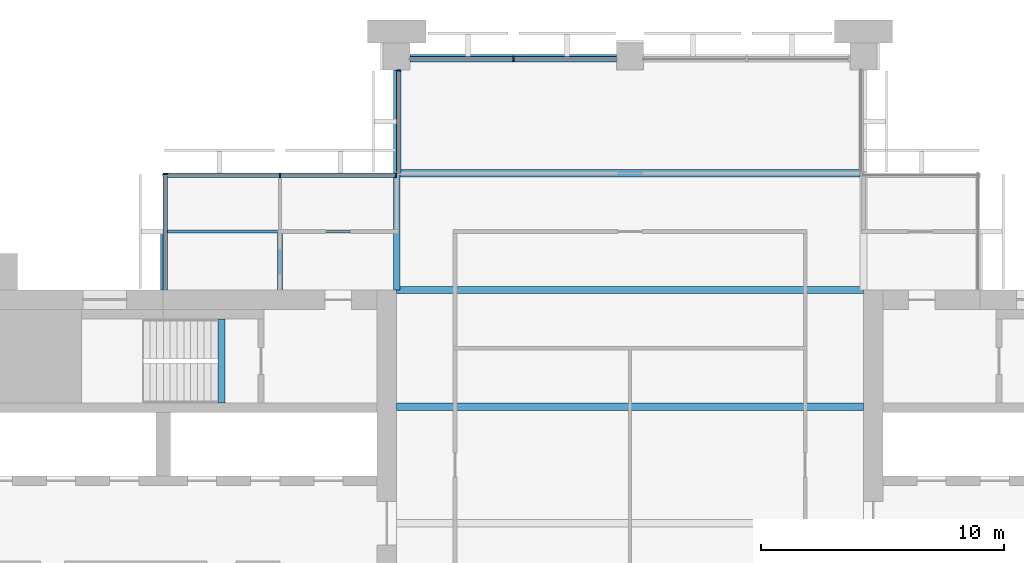
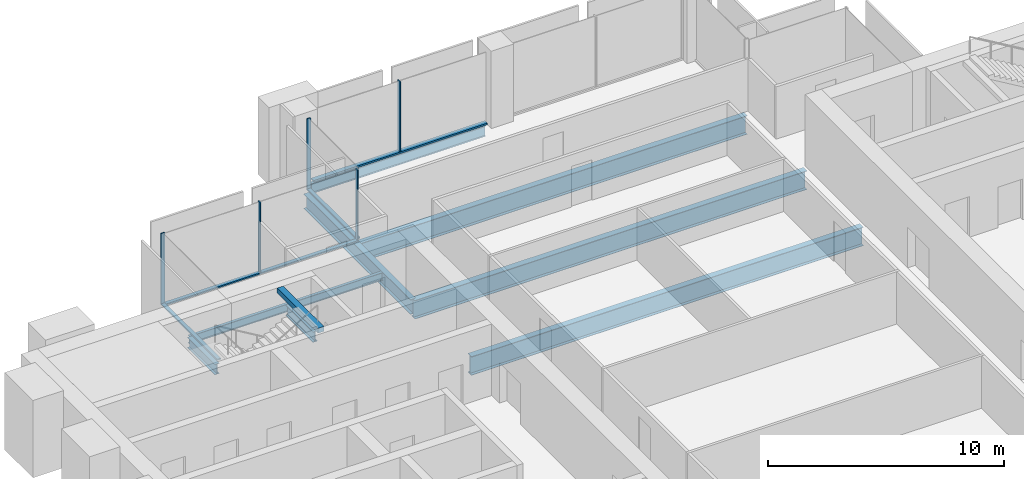
# One storey, part 5 of 13: 9 beams, 9 members, 4 elements without a shape of their own.
"""IFC4 building model written with IfcOpenShell, lengths in metres."""

from ifc_helpers import new_model, si_unit, direction, frame, origin, origin_2d, place, context, subcontext, project, spatial, rectangle, i_section, extrude, material, material_profile, profile_set, type_object, element, aggregate, save


model = new_model("IFC4")

# Units and contexts
model_context = context("Model", 3, precision=1e-05, world=origin(), true_north=direction((0.0, 1.0)))
body_context = subcontext(model_context, "Body", "Model", "MODEL_VIEW")
ifc_project = project(units=[si_unit("LENGTHUNIT", "METRE"), si_unit("AREAUNIT", "SQUARE_METRE"), si_unit("VOLUMEUNIT", "CUBIC_METRE"), si_unit("PLANEANGLEUNIT", "RADIAN"), si_unit("MASSUNIT", "GRAM", prefix="KILO")], contexts=[model_context])

# Site, building, storey
site_placement = place(None, origin())
site = spatial("IfcSite", under=ifc_project, at=site_placement, CompositionType="ELEMENT")
building_placement = place(site_placement, origin())
building = spatial("IfcBuilding", under=site, at=building_placement, Name="Baori Bourse Tower", CompositionType="ELEMENT")
storey_placement = place(building_placement, frame((0.0, 0.0, 261.199951171875)))
storey = spatial("IfcBuildingStorey", under=building, at=storey_placement, Name="L58", CompositionType="ELEMENT", Elevation=261.199951171875)

# Curtain wall, member
ifc_material_1 = material(Name="Pale anodised aluminium", Category="aluminium")
curtain_wall_type_1 = type_object("IfcCurtainWallType", Name="CW2 Curtain wall", PredefinedType="NOTDEFINED", material=ifc_material_1)
curtain_wall_1_placement = place(storey_placement, origin())
curtain_wall_1 = element("IfcCurtainWall", 1, at=curtain_wall_1_placement, inside=storey, type_object=curtain_wall_type_1, Name="Curtain wall CW2 L58 5", PredefinedType="NOTDEFINED")
ifc_material_2 = material(Name="Pale anodised aluminium", Category="aluminium")
ifc_material_profile_1 = material_profile(ifc_material_2, rectangle(XDim=0.179931640625, YDim=0.054931640625, at=origin_2d()), Name="Mullion 55x180")
ifc_profile_set_1 = profile_set([ifc_material_profile_1], Name="Pale anodised aluminium")
member_type_1 = type_object("IfcMemberType", Name="CW2 Curtain wall mullion", PredefinedType="MULLION", material=ifc_profile_set_1)
member_1_placement = place(storey_placement, frame((19.2900390625, 47.422607421875, 0.070068359375), z_axis=(0.0, 0.0, 1.0), x_axis=(1.0, 0.0, 0.0)))
member_1 = element("IfcMember", 2, at=member_1_placement, type_object=member_type_1, Name="Curtain wall CW2 mullion", PredefinedType="MULLION", context=body_context, shape_type="SweptSolid", body=[
    extrude(rectangle(XDim=0.179931640625, YDim=0.054931640625, at=origin_2d()), origin(), (0.0, 0.0, 1.0), 3.6298828125),
])

# Curtain wall, members
curtain_wall_2_placement = place(storey_placement, origin())
curtain_wall_2 = element("IfcCurtainWall", 3, at=curtain_wall_2_placement, inside=storey, type_object=curtain_wall_type_1, Name="Curtain wall CW2 L58 6", PredefinedType="NOTDEFINED")
member_2_placement = place(storey_placement, frame((19.172607421875, 43.110107421875, 0.070068359375), z_axis=(0.0, 0.0, 1.0), x_axis=(0.0, -1.0, 0.0)))
member_2 = element("IfcMember", 4, at=member_2_placement, type_object=member_type_1, Name="Curtain wall CW2 mullion", PredefinedType="MULLION", context=body_context, shape_type="SweptSolid", body=[
    extrude(rectangle(XDim=0.179931640625, YDim=0.054931640625, at=origin_2d()), origin(), (0.0, 0.0, 1.0), 3.6298828125),
])
member_3_placement = place(storey_placement, frame((14.39990234375, 43.110107421875, 0.070068359375), z_axis=(0.0, 0.0, 1.0), x_axis=(0.0, -1.0, 0.0)))
member_3 = element("IfcMember", 5, at=member_3_placement, type_object=member_type_1, Name="Curtain wall CW2 mullion", PredefinedType="MULLION", context=body_context, shape_type="SweptSolid", body=[
    extrude(rectangle(XDim=0.179931640625, YDim=0.054931640625, at=origin_2d()), origin(), (0.0, 0.0, 1.0), 3.6298828125),
])

# Curtain wall, member
curtain_wall_3_placement = place(storey_placement, origin())
curtain_wall_3 = element("IfcCurtainWall", 6, at=curtain_wall_3_placement, inside=storey, type_object=curtain_wall_type_1, Name="Curtain wall CW2 L58 7", PredefinedType="NOTDEFINED")
member_4_placement = place(storey_placement, frame((9.68994140625, 43.172607421875, 0.070068359375), z_axis=(0.0, 0.0, 1.0), x_axis=(1.0, 0.0, 0.0)))
member_4 = element("IfcMember", 7, at=member_4_placement, type_object=member_type_1, Name="Curtain wall CW2 mullion", PredefinedType="MULLION", context=body_context, shape_type="SweptSolid", body=[
    extrude(rectangle(XDim=0.179931640625, YDim=0.054931640625, at=origin_2d()), origin(), (0.0, 0.0, 1.0), 3.6298828125),
])

# Member
ifc_material_3 = material(Name="Pale anodised aluminium", Category="aluminium")
ifc_material_profile_2 = material_profile(ifc_material_3, rectangle(XDim=0.179931640625, YDim=0.070068359375, at=origin_2d()), Name="Transom 70x180")
ifc_profile_set_2 = profile_set([ifc_material_profile_2], Name="Pale anodised aluminium")
member_type_2 = type_object("IfcMemberType", Name="CW2 Curtain wall transom", PredefinedType="USERDEFINED", material=ifc_profile_set_2)
member_5_placement = place(storey_placement, frame((19.2900390625, 47.449951171875, 0.03515625), z_axis=(0.0, -1.0, 0.0), x_axis=(1.0, 0.0, 0.0)))
member_5 = element("IfcMember", 8, at=member_5_placement, type_object=member_type_2, Name="Curtain wall CW2 sill rail", ObjectType="TRANSOM", PredefinedType="USERDEFINED", context=body_context, shape_type="SweptSolid", body=[
    extrude(rectangle(XDim=0.179931640625, YDim=0.070068359375, at=origin_2d()), origin(), (0.0, 0.0, 1.0), 4.25),
])

aggregate(curtain_wall_1, [member_5, member_1])

member_6_placement = place(storey_placement, frame((19.199951171875, 43.110107421875, 0.03515625), z_axis=(-1.0, 0.0, 0.0), x_axis=(0.0, -1.0, 0.0)))
member_6 = element("IfcMember", 9, at=member_6_placement, type_object=member_type_2, Name="Curtain wall CW2 sill rail", ObjectType="TRANSOM", PredefinedType="USERDEFINED", context=body_context, shape_type="SweptSolid", body=[
    extrude(rectangle(XDim=0.179931640625, YDim=0.070068359375, at=origin_2d()), origin(), (0.0, 0.0, 1.0), 9.599853515625),
])

aggregate(curtain_wall_2, [member_6, member_2, member_3])

member_7_placement = place(storey_placement, frame((9.68994140625, 43.199951171875, 0.03515625), z_axis=(0.0, -1.0, 0.0), x_axis=(1.0, 0.0, 0.0)))
member_7 = element("IfcMember", 10, at=member_7_placement, type_object=member_type_2, Name="Curtain wall CW2 sill rail", ObjectType="TRANSOM", PredefinedType="USERDEFINED", context=body_context, shape_type="SweptSolid", body=[
    extrude(rectangle(XDim=0.179931640625, YDim=0.070068359375, at=origin_2d()), origin(), (0.0, 0.0, 1.0), 4.800048828125),
])

aggregate(curtain_wall_3, [member_7, member_4])

# Curtain wall, members
ifc_material_4 = material(Name="Pale anodised aluminium", Category="aluminium")
curtain_wall_type_2 = type_object("IfcCurtainWallType", Name="CW5 Curtain wall", PredefinedType="NOTDEFINED", material=ifc_material_4)
curtain_wall_4_placement = place(storey_placement, origin())
curtain_wall_4 = element("IfcCurtainWall", 11, at=curtain_wall_4_placement, inside=storey, type_object=curtain_wall_type_2, Name="Curtain wall CW5 L58 4", PredefinedType="NOTDEFINED")
ifc_material_5 = material(Name="Pale anodised aluminium", Category="aluminium")
ifc_material_profile_3 = material_profile(ifc_material_5, rectangle(XDim=0.219970703125, YDim=0.06494140625, at=origin_2d()), Name="Mullion 65x220")
ifc_profile_set_3 = profile_set([ifc_material_profile_3], Name="Pale anodised aluminium")
member_type_3 = type_object("IfcMemberType", Name="CW5 Curtain wall mullion", PredefinedType="MULLION", material=ifc_profile_set_3)
member_8_placement = place(storey_placement, frame((24.0, 47.889892578125, 0.0849609375), z_axis=(0.0, 0.0, 1.0), x_axis=(0.0, -1.0, 0.0)))
member_8 = element("IfcMember", 12, at=member_8_placement, type_object=member_type_3, Name="Curtain wall CW5 mullion", PredefinedType="MULLION", context=body_context, shape_type="SweptSolid", body=[
    extrude(rectangle(XDim=0.219970703125, YDim=0.06494140625, at=origin_2d()), origin(), (0.0, 0.0, 1.0), 3.614990234375),
])
ifc_material_6 = material(Name="Pale anodised aluminium", Category="aluminium")
ifc_material_profile_4 = material_profile(ifc_material_6, rectangle(XDim=0.219970703125, YDim=0.0849609375, at=origin_2d()), Name="Transom 85x220")
ifc_profile_set_4 = profile_set([ifc_material_profile_4], Name="Pale anodised aluminium")
member_type_4 = type_object("IfcMemberType", Name="CW5 Curtain wall transom", PredefinedType="USERDEFINED", material=ifc_profile_set_4)
member_9_placement = place(storey_placement, frame((28.25, 47.889892578125, 0.04248046875), z_axis=(-1.0, 0.0, 0.0), x_axis=(0.0, -1.0, 0.0)))
member_9 = element("IfcMember", 13, at=member_9_placement, type_object=member_type_4, Name="Curtain wall CW5 sill rail", ObjectType="TRANSOM", PredefinedType="USERDEFINED", context=body_context, shape_type="SweptSolid", body=[
    extrude(rectangle(XDim=0.219970703125, YDim=0.0849609375, at=origin_2d()), origin(), (0.0, 0.0, 1.0), 8.5),
])
aggregate(curtain_wall_4, [member_9, member_8])

# Beams
ifc_material_7 = material(Name="Steel A992 Gr 50", Category="steel")
ifc_material_profile_5 = material_profile(ifc_material_7, i_section(OverallWidth=0.21240234375, OverallDepth=0.54345703125, WebThickness=0.01318359375, FlangeThickness=0.021240234375, at=origin_2d()), Name="W21x83")
ifc_profile_set_5 = profile_set([ifc_material_profile_5], Name="Steel A992 Gr 50")
beam_type_1 = type_object("IfcBeamType", Name="Core bracket W21x83", PredefinedType="BEAM", material=ifc_profile_set_5)
for number, where, z_axis, x_axis, name in (
    (14, (9.60009765625, 38.39990234375, -0.431640625), (0.0, 1.0, 0.0), (-1.0, 0.0, 0.0), "Core bracket L58"),
    (15, (14.39990234375, 38.39990234375, -0.431640625), (0.0, 1.0, 0.0), (-1.0, 0.0, 0.0), "Core bracket L58"),
):
    element("IfcBeam", number, at=place(storey_placement, frame(where, z_axis=z_axis, x_axis=x_axis)), inside=storey, type_object=beam_type_1, Name=name, PredefinedType="BEAM", context=body_context, shape_type="SweptSolid", body=[
        extrude(i_section(OverallWidth=0.21240234375, OverallDepth=0.54345703125, WebThickness=0.01318359375, FlangeThickness=0.021240234375, at=origin_2d()), origin(), (0.0, 0.0, 1.0), 2.329833984375),
    ])
ifc_material_8 = material(Name="Steel A992 Gr 50", Category="steel")
ifc_material_profile_6 = material_profile(ifc_material_8, i_section(OverallWidth=0.1650390625, OverallDepth=0.52587890625, WebThickness=0.0087890625, FlangeThickness=0.011474609375, at=origin_2d()), Name="W21x44")
ifc_profile_set_6 = profile_set([ifc_material_profile_6], Name="Steel A992 Gr 50")
beam_type_2 = type_object("IfcBeamType", Name="Edge beam W21x44", PredefinedType="BEAM", material=ifc_profile_set_6)
beam_1_placement = place(storey_placement, frame((19.75, 48.0, -0.4228515625), z_axis=(1.0, 0.0, 0.0), x_axis=(0.0, 1.0, 0.0)))
element("IfcBeam", 16, at=beam_1_placement, inside=storey, type_object=beam_type_2, Name="Edge beam L58", PredefinedType="BEAM", context=body_context, shape_type="SweptSolid", body=[
    extrude(i_section(OverallWidth=0.1650390625, OverallDepth=0.52587890625, WebThickness=0.0087890625, FlangeThickness=0.011474609375, at=origin_2d()), origin(), (0.0, 0.0, 1.0), 8.5),
])
ifc_material_9 = material(Name="Steel A992 Gr 50", Category="steel")
ifc_material_profile_7 = material_profile(ifc_material_9, i_section(OverallWidth=0.2998046875, OverallDepth=0.97021484375, WebThickness=0.01611328125, FlangeThickness=0.02099609375, at=origin_2d()), Name="W40x149")
ifc_profile_set_7 = profile_set([ifc_material_profile_7], Name="Steel A992 Gr 50")
beam_type_3 = type_object("IfcBeamType", Name="Floor beam W40x149", PredefinedType="BEAM", material=ifc_profile_set_7)
for number, where, z_axis, x_axis, name in (
    (17, (19.199951171875, 33.60009765625, -0.64501953125), (1.0, 0.0, 0.0), (0.0, 1.0, 0.0), "Floor beam L58"),
    (18, (19.199951171875, 38.39990234375, -0.64501953125), (1.0, 0.0, 0.0), (0.0, 1.0, 0.0), "Floor beam L58"),
):
    element("IfcBeam", number, at=place(storey_placement, frame(where, z_axis=z_axis, x_axis=x_axis)), inside=storey, type_object=beam_type_3, Name=name, PredefinedType="BEAM", context=body_context, shape_type="SweptSolid", body=[
        extrude(i_section(OverallWidth=0.2998046875, OverallDepth=0.97021484375, WebThickness=0.01611328125, FlangeThickness=0.02099609375, at=origin_2d()), origin(), (0.0, 0.0, 1.0), 19.199951171875),
    ])
beam_2_placement = place(storey_placement, frame((19.333251953125, 43.199951171875, -0.64501953125), z_axis=(1.0, 0.0, 0.0), x_axis=(0.0, 1.0, 0.0)))
element("IfcBeam", 19, at=beam_2_placement, inside=storey, type_object=beam_type_3, Name="Floor beam L58", PredefinedType="BEAM", context=body_context, shape_type="SweptSolid", body=[
    extrude(i_section(OverallWidth=0.2998046875, OverallDepth=0.97021484375, WebThickness=0.01611328125, FlangeThickness=0.02099609375, at=origin_2d()), origin(), (0.0, 0.0, 1.0), 18.920654296875),
])
ifc_material_10 = material(Name="Steel A992 Gr 50", Category="steel")
ifc_material_profile_8 = material_profile(ifc_material_10, i_section(OverallWidth=0.2666015625, OverallDepth=0.76953125, WebThickness=0.015625, FlangeThickness=0.025390625, at=origin_2d()), Name="W30x132")
ifc_profile_set_8 = profile_set([ifc_material_profile_8], Name="Steel A992 Gr 50")
beam_type_4 = type_object("IfcBeamType", Name="Girder W30x132", PredefinedType="BEAM", material=ifc_profile_set_8)
beam_3_placement = place(storey_placement, frame((19.199951171875, 38.39990234375, -0.544677734375), z_axis=(0.0, 1.0, 0.0), x_axis=(-1.0, 0.0, 0.0)))
element("IfcBeam", 20, at=beam_3_placement, inside=storey, type_object=beam_type_4, Name="Girder L58", PredefinedType="BEAM", context=body_context, shape_type="SweptSolid", body=[
    extrude(i_section(OverallWidth=0.2666015625, OverallDepth=0.76953125, WebThickness=0.015625, FlangeThickness=0.025390625, at=origin_2d()), origin(), (0.0, 0.0, 1.0), 9.050048828125),
])
ifc_material_11 = material(Name="Concrete f'c 50 MPa", Category="concrete")
ifc_material_profile_9 = material_profile(ifc_material_11, rectangle(XDim=0.300048828125, YDim=0.25, at=origin_2d()), Name="RC 300x250")
ifc_profile_set_9 = profile_set([ifc_material_profile_9], Name="Concrete f'c 50 MPa")
beam_type_5 = type_object("IfcBeamType", Name="Stair nib beam RC 300x250", PredefinedType="BEAM", material=ifc_profile_set_9)
beam_4_placement = place(storey_placement, frame((12.0, 33.75, 3.574951171875), z_axis=(0.0, 1.0, 0.0), x_axis=(-1.0, 0.0, 0.0)))
element("IfcBeam", 21, at=beam_4_placement, inside=storey, type_object=beam_type_5, Name="Stair WB nib beam L59", PredefinedType="BEAM", context=body_context, shape_type="SweptSolid", body=[
    extrude(rectangle(XDim=0.300048828125, YDim=0.25, at=origin_2d()), origin(), (0.0, 0.0, 1.0), 3.449951171875),
])
ifc_material_12 = material(Name="Steel A992 Gr 50", Category="steel")
ifc_material_profile_10 = material_profile(ifc_material_12, i_section(OverallWidth=0.140380859375, OverallDepth=0.40380859375, WebThickness=0.007080078125, FlangeThickness=0.01123046875, at=origin_2d()), Name="W16x31")
ifc_profile_set_10 = profile_set([ifc_material_profile_10], Name="Steel A992 Gr 50")
beam_type_6 = type_object("IfcBeamType", Name="Trimmer beam W16x31", PredefinedType="BEAM", material=ifc_profile_set_10)
beam_5_placement = place(storey_placement, frame((9.60009765625, 40.800048828125, -0.36181640625), z_axis=(1.0, 0.0, 0.0), x_axis=(0.0, 1.0, 0.0)))
element("IfcBeam", 22, at=beam_5_placement, inside=storey, type_object=beam_type_6, Name="Trimmer beam L58", PredefinedType="BEAM", context=body_context, shape_type="SweptSolid", body=[
    extrude(i_section(OverallWidth=0.140380859375, OverallDepth=0.40380859375, WebThickness=0.007080078125, FlangeThickness=0.01123046875, at=origin_2d()), origin(), (0.0, 0.0, 1.0), 9.466552734375),
])

save(model, "model.ifc")
